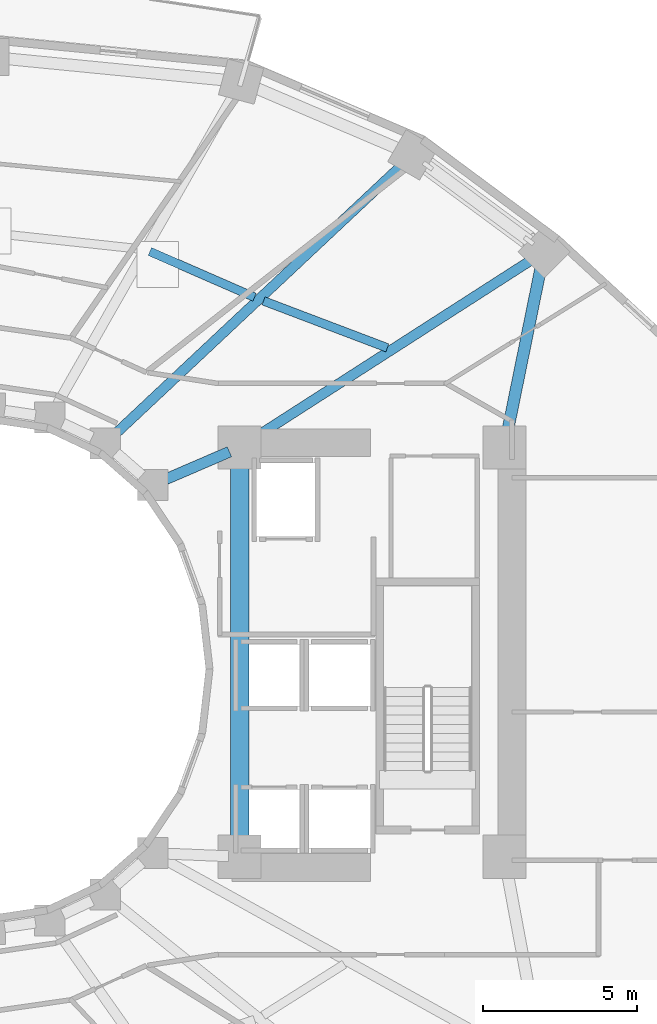
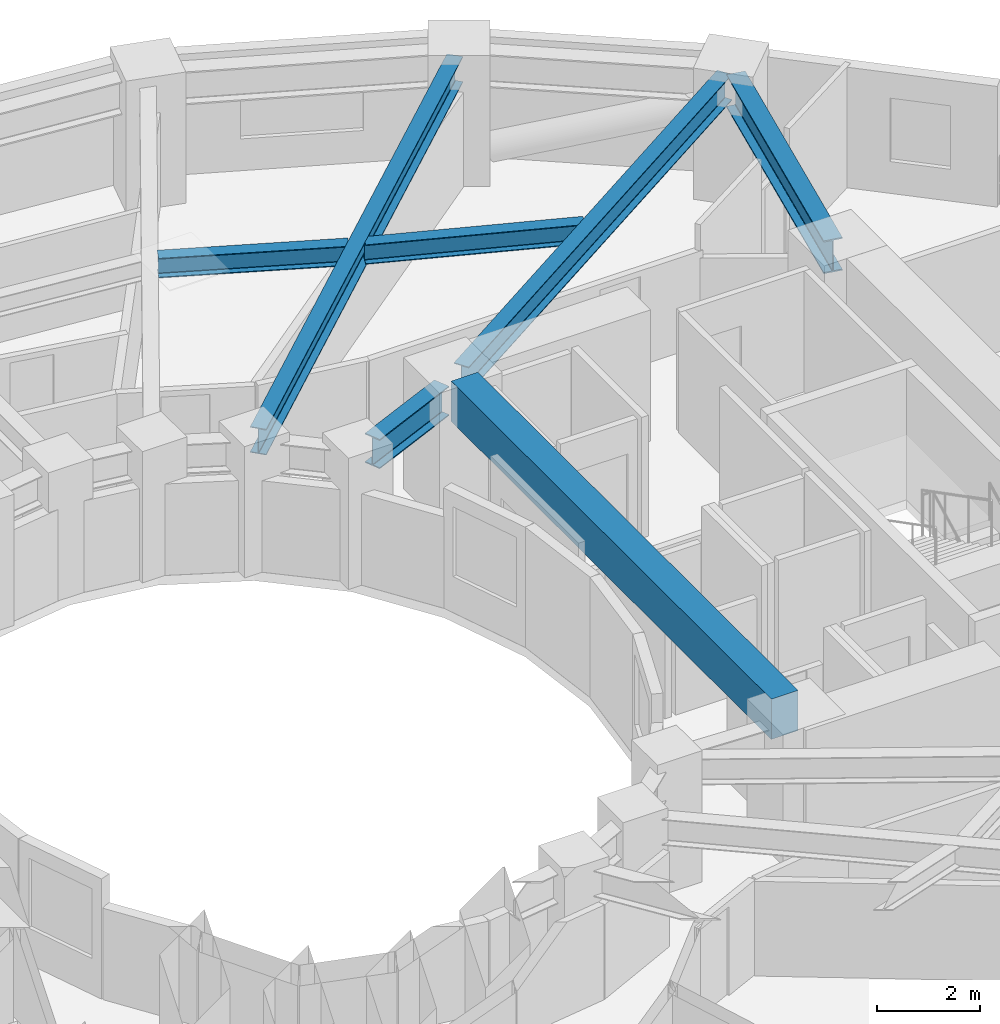
# One storey, part 4 of 14: 7 beams.
"""IFC4 building model written with IfcOpenShell, lengths in metres."""

from ifc_helpers import new_model, si_unit, direction, frame, origin, origin_2d, place, context, subcontext, project, spatial, rectangle, i_section, extrude, material, material_profile, profile_set, type_object, element, save


model = new_model("IFC4")

# Units and contexts
model_context = context("Model", 3, precision=1e-05, world=origin(), true_north=direction((0.0, 1.0)))
body_context = subcontext(model_context, "Body", "Model", "MODEL_VIEW")
ifc_project = project(units=[si_unit("LENGTHUNIT", "METRE"), si_unit("AREAUNIT", "SQUARE_METRE"), si_unit("VOLUMEUNIT", "CUBIC_METRE"), si_unit("PLANEANGLEUNIT", "RADIAN"), si_unit("MASSUNIT", "GRAM", prefix="KILO")], contexts=[model_context])

# Site, building, storey
site_placement = place(None, origin())
site = spatial("IfcSite", under=ifc_project, at=site_placement, CompositionType="ELEMENT")
building_placement = place(site_placement, origin())
building = spatial("IfcBuilding", under=site, at=building_placement, Name="Solvane Sanctuary Tower", CompositionType="ELEMENT")
storey_placement = place(building_placement, frame((0.0, 0.0, 40.0)))
storey = spatial("IfcBuildingStorey", under=building, at=storey_placement, Name="L11", CompositionType="ELEMENT", Elevation=40.0)

# Beams
ifc_material_1 = material(Name="Concrete C70/85", Category="concrete")
ifc_material_profile_1 = material_profile(ifc_material_1, rectangle(XDim=0.60009765625, YDim=0.949951171875, at=origin_2d()), Name="RC600X950")
ifc_profile_set_1 = profile_set([ifc_material_profile_1], Name="Concrete C70/85")
beam_type_1 = type_object("IfcBeamType", Name="Beam B-COUPLE RC600X950", PredefinedType="LINTEL", material=ifc_profile_set_1)
beam_1_placement = place(storey_placement, frame((40.10009765625, 17.35009765625, 2.625), z_axis=(0.0, 1.0, 0.0), x_axis=(-1.0, 0.0, 0.0)))
element("IfcBeam", 1, at=beam_1_placement, inside=storey, type_object=beam_type_1, Name="L11 East Core Coupling Lintel", PredefinedType="LINTEL", context=body_context, shape_type="SweptSolid", body=[
    extrude(rectangle(XDim=0.60009765625, YDim=0.949951171875, at=origin_2d()), origin(), (0.0, 0.0, 1.0), 12.39990234375),
])
ifc_material_2 = material(Name="Steel ASTM A992 Grade 50", Category="steel")
ifc_material_profile_2 = material_profile(ifc_material_2, i_section(OverallWidth=0.323974609375, OverallDepth=0.611083984375, WebThickness=0.0126953125, FlangeThickness=0.01904296875, FilletRadius=0.01611328125, at=origin_2d()), Name="W24X104")
ifc_profile_set_2 = profile_set([ifc_material_profile_2], Name="Steel ASTM A992 Grade 50")
beam_type_2 = type_object("IfcBeamType", Name="Beam B-RAD-Z1 W24X104", PredefinedType="BEAM", material=ifc_profile_set_2)
beam_2_placement = place(storey_placement, frame((40.40283203125, 30.39453125, 2.572509765625), z_axis=(0.841383207998, 0.540438985733, 0.0), x_axis=(-0.540438985733, 0.841383207998, 0.0)))
element("IfcBeam", 2, at=beam_2_placement, inside=storey, type_object=beam_type_2, Name="L11 Radial Composite Floor Beam 01", PredefinedType="BEAM", context=body_context, shape_type="SweptSolid", body=[
    extrude(i_section(OverallWidth=0.323974609375, OverallDepth=0.611083984375, WebThickness=0.0126953125, FlangeThickness=0.01904296875, FilletRadius=0.01611328125, at=origin_2d()), origin(), (0.0, 0.0, 1.0), 11.116455078125),
])
beam_3_placement = place(storey_placement, frame((35.93408203125, 30.518310546875, 2.572509765625), z_axis=(0.729363446859, 0.68412642281, 0.0), x_axis=(-0.68412642281, 0.729363446859, 0.0)))
element("IfcBeam", 3, at=beam_3_placement, inside=storey, type_object=beam_type_2, Name="L11 Radial Composite Floor Beam 02", PredefinedType="BEAM", context=body_context, shape_type="SweptSolid", body=[
    extrude(i_section(OverallWidth=0.323974609375, OverallDepth=0.611083984375, WebThickness=0.0126953125, FlangeThickness=0.01904296875, FilletRadius=0.01611328125, at=origin_2d()), origin(), (0.0, 0.0, 1.0), 13.14697265625),
])
ifc_material_profile_3 = material_profile(ifc_material_2, i_section(OverallWidth=0.35498046875, OverallDepth=0.695068359375, WebThickness=0.015380859375, FlangeThickness=0.02490234375, FilletRadius=0.01806640625, at=origin_2d()), Name="W27X146")
ifc_profile_set_3 = profile_set([ifc_material_profile_3], Name="Steel ASTM A992 Grade 50")
beam_type_3 = type_object("IfcBeamType", Name="Beam B-RING-IN1 W27X146", PredefinedType="BEAM", material=ifc_profile_set_3)
beam_4_placement = place(storey_placement, frame((37.70654296875, 29.168212890625, 2.530517578125), z_axis=(0.918277080365, 0.395938383687, 0.0), x_axis=(-0.395938383687, 0.918277080365, 0.0)))
element("IfcBeam", 4, at=beam_4_placement, inside=storey, type_object=beam_type_3, Name="L11 Inner Light-Well Ring Beam IC01-CE4", PredefinedType="BEAM", context=body_context, shape_type="SweptSolid", body=[
    extrude(i_section(OverallWidth=0.35498046875, OverallDepth=0.695068359375, WebThickness=0.015380859375, FlangeThickness=0.02490234375, FilletRadius=0.01806640625, at=origin_2d()), origin(), (0.0, 0.0, 1.0), 2.246337890625),
])
ifc_material_profile_4 = material_profile(ifc_material_2, i_section(OverallWidth=0.280029296875, OverallDepth=0.462890625, WebThickness=0.0107421875, FlangeThickness=0.017333984375, FilletRadius=0.013916015625, at=origin_2d()), Name="W18X76")
ifc_profile_set_4 = profile_set([ifc_material_profile_4], Name="Steel ASTM A992 Grade 50")
beam_type_4 = type_object("IfcBeamType", Name="Beam B-SEC-JOIST W18X76", PredefinedType="JOIST", material=ifc_profile_set_4)
beam_5_placement = place(storey_placement, frame((37.181640625, 36.564697265625, 2.646484375), z_axis=(0.916382007922, -0.400304903238, 0.0), x_axis=(0.400304903238, 0.916382007922, 0.0)))
element("IfcBeam", 5, at=beam_5_placement, inside=storey, type_object=beam_type_4, Name="L11 Secondary Circumferential Joist 03-02", PredefinedType="JOIST", context=body_context, shape_type="SweptSolid", body=[
    extrude(i_section(OverallWidth=0.280029296875, OverallDepth=0.462890625, WebThickness=0.0107421875, FlangeThickness=0.017333984375, FilletRadius=0.013916015625, at=origin_2d()), origin(), (0.0, 0.0, 1.0), 3.713623046875),
])
beam_6_placement = place(storey_placement, frame((40.87548828125, 34.959716796875, 2.646484375), z_axis=(0.934930049376, -0.354832076867, 0.0), x_axis=(0.354832076867, 0.934930049376, 0.0)))
element("IfcBeam", 6, at=beam_6_placement, inside=storey, type_object=beam_type_4, Name="L11 Secondary Circumferential Joist 02-01", PredefinedType="JOIST", context=body_context, shape_type="SweptSolid", body=[
    extrude(i_section(OverallWidth=0.280029296875, OverallDepth=0.462890625, WebThickness=0.0107421875, FlangeThickness=0.017333984375, FilletRadius=0.013916015625, at=origin_2d()), origin(), (0.0, 0.0, 1.0), 4.3037109375),
])
ifc_material_profile_5 = material_profile(ifc_material_2, i_section(OverallWidth=0.382080078125, OverallDepth=0.779052734375, WebThickness=0.01806640625, FlangeThickness=0.030029296875, FilletRadius=0.02001953125, at=origin_2d()), Name="W30X191")
ifc_profile_set_5 = profile_set([ifc_material_profile_5], Name="Steel ASTM A992 Grade 50")
beam_type_5 = type_object("IfcBeamType", Name="Beam B-SPAND-Z1 W30X191", PredefinedType="SPANDREL", material=ifc_profile_set_5)
beam_7_placement = place(storey_placement, frame((49.935791015625, 36.279296875, 2.488525390625), z_axis=(-0.199190417877, -0.979960804025, 0.0), x_axis=(0.979960804025, -0.199190417877, 0.0)))
element("IfcBeam", 7, at=beam_7_placement, inside=storey, type_object=beam_type_5, Name="L11 Perimeter Spandrel Beam TC01-CE3", PredefinedType="SPANDREL", context=body_context, shape_type="SweptSolid", body=[
    extrude(i_section(OverallWidth=0.382080078125, OverallDepth=0.779052734375, WebThickness=0.01806640625, FlangeThickness=0.030029296875, FilletRadius=0.02001953125, at=origin_2d()), origin(), (0.0, 0.0, 1.0), 5.923583984375),
])

save(model, "model.ifc")
